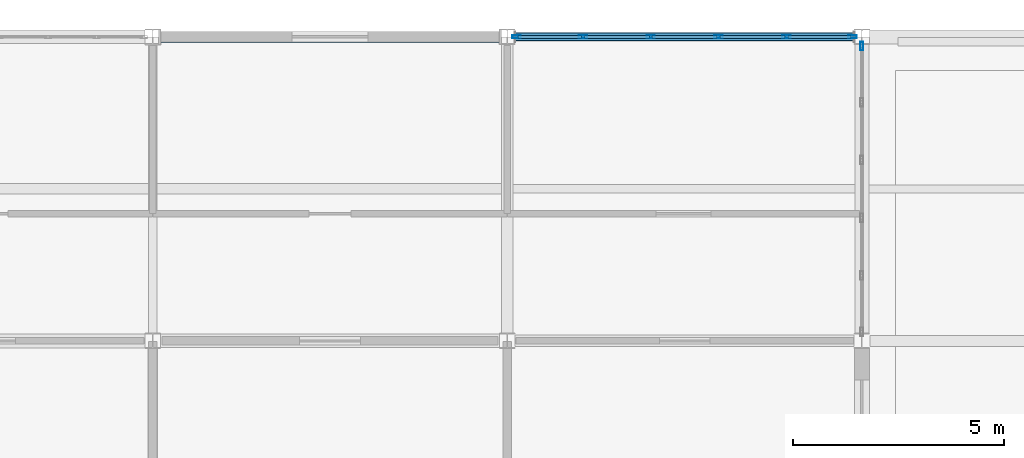
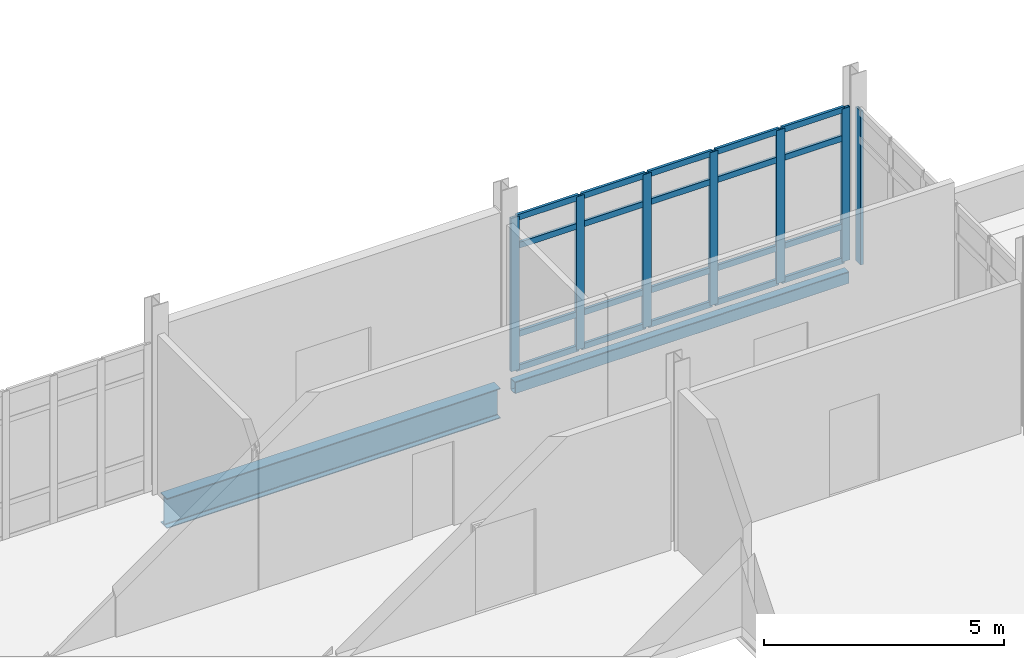
# One storey, part 95 of 186: 27 members, 2 beams, 2 elements without a shape of their own.
"""IFC4 building model written with IfcOpenShell, lengths in metres."""

from ifc_helpers import new_model, si_unit, direction, frame, origin, origin_2d, place, context, subcontext, project, spatial, hollow_rectangle, i_section, extrude, material, layer, layer_set, material_profile, profile_set, type_object, element, aggregate, save


model = new_model("IFC4")

# Units and contexts
model_context = context("Model", 3, precision=1e-05, world=origin(), true_north=direction((0.0, 1.0)))
body_context = subcontext(model_context, "Body", "Model", "MODEL_VIEW")
ifc_project = project(units=[si_unit("LENGTHUNIT", "METRE"), si_unit("AREAUNIT", "SQUARE_METRE"), si_unit("VOLUMEUNIT", "CUBIC_METRE"), si_unit("PLANEANGLEUNIT", "RADIAN"), si_unit("MASSUNIT", "GRAM", prefix="KILO")], contexts=[model_context])

# Site, building, storey
site_placement = place(None, origin())
site = spatial("IfcSite", under=ifc_project, at=site_placement, CompositionType="ELEMENT")
building_placement = place(site_placement, origin())
building = spatial("IfcBuilding", under=site, at=building_placement, Name="Calvrana Isthmian Art Gallery", CompositionType="ELEMENT")
storey_placement = place(building_placement, frame((0.0, 0.0, 5.39990234375)))
storey = spatial("IfcBuildingStorey", under=building, at=storey_placement, Name="L01", CompositionType="ELEMENT", Elevation=5.39990234375)

# Beams
ifc_material_1 = material(Name="Steel ASTM A992 Gr 50", Category="steel")
ifc_material_profile_1 = material_profile(ifc_material_1, i_section(OverallWidth=0.26708984375, OverallDepth=0.761962890625, WebThickness=0.014404296875, FlangeThickness=0.021484375, FilletRadius=0.02490234375, at=origin_2d()), Name="W30X116")
ifc_profile_set_1 = profile_set([ifc_material_profile_1], Name="Steel ASTM A992 Gr 50")
beam_type_1 = type_object("IfcBeamType", Name="BM-G-W30X116", PredefinedType="BEAM", material=ifc_profile_set_1)
beam_1_placement = place(storey_placement, frame((46.986572265625, 112.800048828125, -0.6259765625), z_axis=(1.0, 0.0, 0.0), x_axis=(0.0, 1.0, 0.0)))
element("IfcBeam", 1, at=beam_1_placement, inside=storey, type_object=beam_type_1, Name="Girder X L01 07-08/P", PredefinedType="BEAM", context=body_context, shape_type="SweptSolid", body=[
    extrude(i_section(OverallWidth=0.26708984375, OverallDepth=0.761962890625, WebThickness=0.014404296875, FlangeThickness=0.021484375, FilletRadius=0.02490234375, at=origin_2d()), origin(), (0.0, 0.0, 1.0), 8.02783203125),
])
ifc_material_2 = material(Name="Steel ASTM A500 Gr C", Category="steel")
ifc_material_profile_2 = material_profile(ifc_material_2, hollow_rectangle(XDim=0.203125, YDim=0.3046875, WallThickness=0.0126953125, OuterFilletRadius=0.02490234375, at=origin_2d()), Name="HSS305X203X12.7")
ifc_profile_set_2 = profile_set([ifc_material_profile_2], Name="Steel ASTM A500 Gr C")
beam_type_2 = type_object("IfcBeamType", Name="BM-SP-HSS305", PredefinedType="SPANDREL", material=ifc_profile_set_2)
beam_2_placement = place(storey_placement, frame((55.385498046875, 112.800048828125, -0.397216796875), z_axis=(1.0, 0.0, 0.0), x_axis=(0.0, 1.0, 0.0)))
element("IfcBeam", 2, at=beam_2_placement, inside=storey, type_object=beam_type_2, Name="Girder X L01 08-09/P", PredefinedType="SPANDREL", context=body_context, shape_type="SweptSolid", body=[
    extrude(hollow_rectangle(XDim=0.203125, YDim=0.3046875, WallThickness=0.0126953125, OuterFilletRadius=0.02490234375, at=origin_2d()), origin(), (0.0, 0.0, 1.0), 8.030517578125),
])

# Curtain wall, members
ifc_material_3 = material(Name="Anodized bronze aluminium 6063-T6", Category="aluminium")
ifc_layer_1 = layer(ifc_material_3, 0.179931640625, Name="Anodized bronze aluminium 6063-T6")
ifc_layer_set_1 = layer_set([ifc_layer_1], Name="Anodized bronze aluminium 6063-T6")
curtain_wall_type_1 = type_object("IfcCurtainWallType", Name="CW-STICK-080X39", PredefinedType="NOTDEFINED", material=ifc_layer_set_1)
curtain_wall_1_placement = place(storey_placement, origin())
curtain_wall_1 = element("IfcCurtainWall", 3, at=curtain_wall_1_placement, inside=storey, type_object=curtain_wall_type_1, Name="Curtain wall CW-117", PredefinedType="NOTDEFINED")
ifc_material_profile_3 = material_profile(ifc_material_3, hollow_rectangle(XDim=0.070068359375, YDim=0.199951171875, WallThickness=0.0048828125, at=origin_2d()), Name="CWM70X200")
ifc_profile_set_3 = profile_set([ifc_material_profile_3], Name="Anodized bronze aluminium 6063-T6")
member_type_1 = type_object("IfcMemberType", Name="CWM-CWM70X200", PredefinedType="MULLION", material=ifc_profile_set_3)
member_1_placement = place(storey_placement, frame((55.42138671875, 112.800048828125, 0.0), z_axis=(0.0, 0.0, 1.0), x_axis=(0.0, 1.0, 0.0)))
member_1 = element("IfcMember", 4, at=member_1_placement, type_object=member_type_1, Name="CW-117 mullion 1", PredefinedType="MULLION", context=body_context, shape_type="SweptSolid", body=[
    extrude(hollow_rectangle(XDim=0.070068359375, YDim=0.199951171875, WallThickness=0.0048828125, at=origin_2d()), origin(), (0.0, 0.0, 1.0), 3.898193359375),
])
member_2_placement = place(storey_placement, frame((56.9921875, 112.800048828125, 0.0), z_axis=(0.0, 0.0, 1.0), x_axis=(0.0, 1.0, 0.0)))
member_2 = element("IfcMember", 5, at=member_2_placement, type_object=member_type_1, Name="CW-117 mullion 2", PredefinedType="MULLION", context=body_context, shape_type="SweptSolid", body=[
    extrude(hollow_rectangle(XDim=0.070068359375, YDim=0.199951171875, WallThickness=0.0048828125, at=origin_2d()), origin(), (0.0, 0.0, 1.0), 3.898193359375),
])
member_3_placement = place(storey_placement, frame((58.59765625, 112.800048828125, 0.0), z_axis=(0.0, 0.0, 1.0), x_axis=(0.0, 1.0, 0.0)))
member_3 = element("IfcMember", 6, at=member_3_placement, type_object=member_type_1, Name="CW-117 mullion 3", PredefinedType="MULLION", context=body_context, shape_type="SweptSolid", body=[
    extrude(hollow_rectangle(XDim=0.070068359375, YDim=0.199951171875, WallThickness=0.0048828125, at=origin_2d()), origin(), (0.0, 0.0, 1.0), 3.898193359375),
])
member_4_placement = place(storey_placement, frame((60.203369140625, 112.800048828125, 0.0), z_axis=(0.0, 0.0, 1.0), x_axis=(0.0, 1.0, 0.0)))
member_4 = element("IfcMember", 7, at=member_4_placement, type_object=member_type_1, Name="CW-117 mullion 4", PredefinedType="MULLION", context=body_context, shape_type="SweptSolid", body=[
    extrude(hollow_rectangle(XDim=0.070068359375, YDim=0.199951171875, WallThickness=0.0048828125, at=origin_2d()), origin(), (0.0, 0.0, 1.0), 3.898193359375),
])
member_5_placement = place(storey_placement, frame((61.808837890625, 112.800048828125, 0.0), z_axis=(0.0, 0.0, 1.0), x_axis=(0.0, 1.0, 0.0)))
member_5 = element("IfcMember", 8, at=member_5_placement, type_object=member_type_1, Name="CW-117 mullion 5", PredefinedType="MULLION", context=body_context, shape_type="SweptSolid", body=[
    extrude(hollow_rectangle(XDim=0.070068359375, YDim=0.199951171875, WallThickness=0.0048828125, at=origin_2d()), origin(), (0.0, 0.0, 1.0), 3.898193359375),
])
member_6_placement = place(storey_placement, frame((63.37939453125, 112.800048828125, 0.0), z_axis=(0.0, 0.0, 1.0), x_axis=(0.0, 1.0, 0.0)))
member_6 = element("IfcMember", 9, at=member_6_placement, type_object=member_type_1, Name="CW-117 mullion 6", PredefinedType="MULLION", context=body_context, shape_type="SweptSolid", body=[
    extrude(hollow_rectangle(XDim=0.070068359375, YDim=0.199951171875, WallThickness=0.0048828125, at=origin_2d()), origin(), (0.0, 0.0, 1.0), 3.898193359375),
])

# Curtain wall, member
ifc_layer_2 = layer(ifc_material_3, 0.179931640625, Name="Anodized bronze aluminium 6063-T6")
ifc_layer_set_2 = layer_set([ifc_layer_2], Name="Anodized bronze aluminium 6063-T6")
curtain_wall_type_2 = type_object("IfcCurtainWallType", Name="CW-STICK-068X39", PredefinedType="NOTDEFINED", material=ifc_layer_set_2)
curtain_wall_2_placement = place(storey_placement, origin())
curtain_wall_2 = element("IfcCurtainWall", 10, at=curtain_wall_2_placement, inside=storey, type_object=curtain_wall_type_2, Name="Curtain wall CW-129", PredefinedType="NOTDEFINED")
member_7_placement = place(storey_placement, frame((63.60009765625, 112.58349609375, 0.0), z_axis=(0.0, 0.0, 1.0), x_axis=(1.0, 0.0, 0.0)))
member_7 = element("IfcMember", 11, at=member_7_placement, type_object=member_type_1, Name="CW-129 mullion 1", PredefinedType="MULLION", context=body_context, shape_type="SweptSolid", body=[
    extrude(hollow_rectangle(XDim=0.070068359375, YDim=0.199951171875, WallThickness=0.0048828125, at=origin_2d()), origin(), (0.0, 0.0, 1.0), 3.9130859375),
])
aggregate(curtain_wall_2, [member_7])

# Member
ifc_material_profile_4 = material_profile(ifc_material_3, hollow_rectangle(XDim=0.06494140625, YDim=0.14990234375, WallThickness=0.00390625, at=origin_2d()), Name="CWT65X150")
ifc_profile_set_4 = profile_set([ifc_material_profile_4], Name="Anodized bronze aluminium 6063-T6")
member_type_2 = type_object("IfcMemberType", Name="CWT-CWT65X150", PredefinedType="USERDEFINED", material=ifc_profile_set_4)
member_8_placement = place(storey_placement, frame((55.45654296875, 112.800048828125, 0.03271484375), z_axis=(1.0, 0.0, 0.0), x_axis=(0.0, 1.0, 0.0)))
member_8 = element("IfcMember", 12, at=member_8_placement, type_object=member_type_2, Name="CW-117 transom 1.1", ObjectType="TRANSOM", PredefinedType="USERDEFINED", context=body_context, shape_type="SweptSolid", body=[
    extrude(hollow_rectangle(XDim=0.06494140625, YDim=0.14990234375, WallThickness=0.00390625, at=origin_2d()), origin(), (0.0, 0.0, 1.0), 1.50048828125),
])

member_9_placement = place(storey_placement, frame((55.45654296875, 112.800048828125, 0.900146484375), z_axis=(1.0, 0.0, 0.0), x_axis=(0.0, 1.0, 0.0)))
member_9 = element("IfcMember", 13, at=member_9_placement, type_object=member_type_2, Name="CW-117 transom 1.2", ObjectType="TRANSOM", PredefinedType="USERDEFINED", context=body_context, shape_type="SweptSolid", body=[
    extrude(hollow_rectangle(XDim=0.06494140625, YDim=0.14990234375, WallThickness=0.00390625, at=origin_2d()), origin(), (0.0, 0.0, 1.0), 1.50048828125),
])

member_10_placement = place(storey_placement, frame((55.45654296875, 112.800048828125, 3.148193359375), z_axis=(1.0, 0.0, 0.0), x_axis=(0.0, 1.0, 0.0)))
member_10 = element("IfcMember", 14, at=member_10_placement, type_object=member_type_2, Name="CW-117 transom 1.3", ObjectType="TRANSOM", PredefinedType="USERDEFINED", context=body_context, shape_type="SweptSolid", body=[
    extrude(hollow_rectangle(XDim=0.06494140625, YDim=0.14990234375, WallThickness=0.00390625, at=origin_2d()), origin(), (0.0, 0.0, 1.0), 1.50048828125),
])

member_11_placement = place(storey_placement, frame((55.45654296875, 112.800048828125, 3.865478515625), z_axis=(1.0, 0.0, 0.0), x_axis=(0.0, 1.0, 0.0)))
member_11 = element("IfcMember", 15, at=member_11_placement, type_object=member_type_2, Name="CW-117 transom 1.4", ObjectType="TRANSOM", PredefinedType="USERDEFINED", context=body_context, shape_type="SweptSolid", body=[
    extrude(hollow_rectangle(XDim=0.06494140625, YDim=0.14990234375, WallThickness=0.00390625, at=origin_2d()), origin(), (0.0, 0.0, 1.0), 1.50048828125),
])

member_12_placement = place(storey_placement, frame((57.027099609375, 112.800048828125, 0.03271484375), z_axis=(1.0, 0.0, 0.0), x_axis=(0.0, 1.0, 0.0)))
member_12 = element("IfcMember", 16, at=member_12_placement, type_object=member_type_2, Name="CW-117 transom 2.1", ObjectType="TRANSOM", PredefinedType="USERDEFINED", context=body_context, shape_type="SweptSolid", body=[
    extrude(hollow_rectangle(XDim=0.06494140625, YDim=0.14990234375, WallThickness=0.00390625, at=origin_2d()), origin(), (0.0, 0.0, 1.0), 1.53564453125),
])

member_13_placement = place(storey_placement, frame((57.027099609375, 112.800048828125, 0.900146484375), z_axis=(1.0, 0.0, 0.0), x_axis=(0.0, 1.0, 0.0)))
member_13 = element("IfcMember", 17, at=member_13_placement, type_object=member_type_2, Name="CW-117 transom 2.2", ObjectType="TRANSOM", PredefinedType="USERDEFINED", context=body_context, shape_type="SweptSolid", body=[
    extrude(hollow_rectangle(XDim=0.06494140625, YDim=0.14990234375, WallThickness=0.00390625, at=origin_2d()), origin(), (0.0, 0.0, 1.0), 1.53564453125),
])

member_14_placement = place(storey_placement, frame((57.027099609375, 112.800048828125, 3.148193359375), z_axis=(1.0, 0.0, 0.0), x_axis=(0.0, 1.0, 0.0)))
member_14 = element("IfcMember", 18, at=member_14_placement, type_object=member_type_2, Name="CW-117 transom 2.3", ObjectType="TRANSOM", PredefinedType="USERDEFINED", context=body_context, shape_type="SweptSolid", body=[
    extrude(hollow_rectangle(XDim=0.06494140625, YDim=0.14990234375, WallThickness=0.00390625, at=origin_2d()), origin(), (0.0, 0.0, 1.0), 1.53564453125),
])

member_15_placement = place(storey_placement, frame((57.027099609375, 112.800048828125, 3.865478515625), z_axis=(1.0, 0.0, 0.0), x_axis=(0.0, 1.0, 0.0)))
member_15 = element("IfcMember", 19, at=member_15_placement, type_object=member_type_2, Name="CW-117 transom 2.4", ObjectType="TRANSOM", PredefinedType="USERDEFINED", context=body_context, shape_type="SweptSolid", body=[
    extrude(hollow_rectangle(XDim=0.06494140625, YDim=0.14990234375, WallThickness=0.00390625, at=origin_2d()), origin(), (0.0, 0.0, 1.0), 1.53564453125),
])

member_16_placement = place(storey_placement, frame((58.6328125, 112.800048828125, 0.03271484375), z_axis=(1.0, 0.0, 0.0), x_axis=(0.0, 1.0, 0.0)))
member_16 = element("IfcMember", 20, at=member_16_placement, type_object=member_type_2, Name="CW-117 transom 3.1", ObjectType="TRANSOM", PredefinedType="USERDEFINED", context=body_context, shape_type="SweptSolid", body=[
    extrude(hollow_rectangle(XDim=0.06494140625, YDim=0.14990234375, WallThickness=0.00390625, at=origin_2d()), origin(), (0.0, 0.0, 1.0), 1.535400390625),
])

member_17_placement = place(storey_placement, frame((58.6328125, 112.800048828125, 0.900146484375), z_axis=(1.0, 0.0, 0.0), x_axis=(0.0, 1.0, 0.0)))
member_17 = element("IfcMember", 21, at=member_17_placement, type_object=member_type_2, Name="CW-117 transom 3.2", ObjectType="TRANSOM", PredefinedType="USERDEFINED", context=body_context, shape_type="SweptSolid", body=[
    extrude(hollow_rectangle(XDim=0.06494140625, YDim=0.14990234375, WallThickness=0.00390625, at=origin_2d()), origin(), (0.0, 0.0, 1.0), 1.535400390625),
])

member_18_placement = place(storey_placement, frame((58.6328125, 112.800048828125, 3.148193359375), z_axis=(1.0, 0.0, 0.0), x_axis=(0.0, 1.0, 0.0)))
member_18 = element("IfcMember", 22, at=member_18_placement, type_object=member_type_2, Name="CW-117 transom 3.3", ObjectType="TRANSOM", PredefinedType="USERDEFINED", context=body_context, shape_type="SweptSolid", body=[
    extrude(hollow_rectangle(XDim=0.06494140625, YDim=0.14990234375, WallThickness=0.00390625, at=origin_2d()), origin(), (0.0, 0.0, 1.0), 1.535400390625),
])

member_19_placement = place(storey_placement, frame((58.6328125, 112.800048828125, 3.865478515625), z_axis=(1.0, 0.0, 0.0), x_axis=(0.0, 1.0, 0.0)))
member_19 = element("IfcMember", 23, at=member_19_placement, type_object=member_type_2, Name="CW-117 transom 3.4", ObjectType="TRANSOM", PredefinedType="USERDEFINED", context=body_context, shape_type="SweptSolid", body=[
    extrude(hollow_rectangle(XDim=0.06494140625, YDim=0.14990234375, WallThickness=0.00390625, at=origin_2d()), origin(), (0.0, 0.0, 1.0), 1.535400390625),
])

member_20_placement = place(storey_placement, frame((60.23828125, 112.800048828125, 0.03271484375), z_axis=(1.0, 0.0, 0.0), x_axis=(0.0, 1.0, 0.0)))
member_20 = element("IfcMember", 24, at=member_20_placement, type_object=member_type_2, Name="CW-117 transom 4.1", ObjectType="TRANSOM", PredefinedType="USERDEFINED", context=body_context, shape_type="SweptSolid", body=[
    extrude(hollow_rectangle(XDim=0.06494140625, YDim=0.14990234375, WallThickness=0.00390625, at=origin_2d()), origin(), (0.0, 0.0, 1.0), 1.53564453125),
])

member_21_placement = place(storey_placement, frame((60.23828125, 112.800048828125, 0.900146484375), z_axis=(1.0, 0.0, 0.0), x_axis=(0.0, 1.0, 0.0)))
member_21 = element("IfcMember", 25, at=member_21_placement, type_object=member_type_2, Name="CW-117 transom 4.2", ObjectType="TRANSOM", PredefinedType="USERDEFINED", context=body_context, shape_type="SweptSolid", body=[
    extrude(hollow_rectangle(XDim=0.06494140625, YDim=0.14990234375, WallThickness=0.00390625, at=origin_2d()), origin(), (0.0, 0.0, 1.0), 1.53564453125),
])

member_22_placement = place(storey_placement, frame((60.23828125, 112.800048828125, 3.148193359375), z_axis=(1.0, 0.0, 0.0), x_axis=(0.0, 1.0, 0.0)))
member_22 = element("IfcMember", 26, at=member_22_placement, type_object=member_type_2, Name="CW-117 transom 4.3", ObjectType="TRANSOM", PredefinedType="USERDEFINED", context=body_context, shape_type="SweptSolid", body=[
    extrude(hollow_rectangle(XDim=0.06494140625, YDim=0.14990234375, WallThickness=0.00390625, at=origin_2d()), origin(), (0.0, 0.0, 1.0), 1.53564453125),
])

member_23_placement = place(storey_placement, frame((60.23828125, 112.800048828125, 3.865478515625), z_axis=(1.0, 0.0, 0.0), x_axis=(0.0, 1.0, 0.0)))
member_23 = element("IfcMember", 27, at=member_23_placement, type_object=member_type_2, Name="CW-117 transom 4.4", ObjectType="TRANSOM", PredefinedType="USERDEFINED", context=body_context, shape_type="SweptSolid", body=[
    extrude(hollow_rectangle(XDim=0.06494140625, YDim=0.14990234375, WallThickness=0.00390625, at=origin_2d()), origin(), (0.0, 0.0, 1.0), 1.53564453125),
])

member_24_placement = place(storey_placement, frame((61.843994140625, 112.800048828125, 0.03271484375), z_axis=(1.0, 0.0, 0.0), x_axis=(0.0, 1.0, 0.0)))
member_24 = element("IfcMember", 28, at=member_24_placement, type_object=member_type_2, Name="CW-117 transom 5.1", ObjectType="TRANSOM", PredefinedType="USERDEFINED", context=body_context, shape_type="SweptSolid", body=[
    extrude(hollow_rectangle(XDim=0.06494140625, YDim=0.14990234375, WallThickness=0.00390625, at=origin_2d()), origin(), (0.0, 0.0, 1.0), 1.50048828125),
])

member_25_placement = place(storey_placement, frame((61.843994140625, 112.800048828125, 0.900146484375), z_axis=(1.0, 0.0, 0.0), x_axis=(0.0, 1.0, 0.0)))
member_25 = element("IfcMember", 29, at=member_25_placement, type_object=member_type_2, Name="CW-117 transom 5.2", ObjectType="TRANSOM", PredefinedType="USERDEFINED", context=body_context, shape_type="SweptSolid", body=[
    extrude(hollow_rectangle(XDim=0.06494140625, YDim=0.14990234375, WallThickness=0.00390625, at=origin_2d()), origin(), (0.0, 0.0, 1.0), 1.50048828125),
])

member_26_placement = place(storey_placement, frame((61.843994140625, 112.800048828125, 3.148193359375), z_axis=(1.0, 0.0, 0.0), x_axis=(0.0, 1.0, 0.0)))
member_26 = element("IfcMember", 30, at=member_26_placement, type_object=member_type_2, Name="CW-117 transom 5.3", ObjectType="TRANSOM", PredefinedType="USERDEFINED", context=body_context, shape_type="SweptSolid", body=[
    extrude(hollow_rectangle(XDim=0.06494140625, YDim=0.14990234375, WallThickness=0.00390625, at=origin_2d()), origin(), (0.0, 0.0, 1.0), 1.50048828125),
])

member_27_placement = place(storey_placement, frame((61.843994140625, 112.800048828125, 3.865478515625), z_axis=(1.0, 0.0, 0.0), x_axis=(0.0, 1.0, 0.0)))
member_27 = element("IfcMember", 31, at=member_27_placement, type_object=member_type_2, Name="CW-117 transom 5.4", ObjectType="TRANSOM", PredefinedType="USERDEFINED", context=body_context, shape_type="SweptSolid", body=[
    extrude(hollow_rectangle(XDim=0.06494140625, YDim=0.14990234375, WallThickness=0.00390625, at=origin_2d()), origin(), (0.0, 0.0, 1.0), 1.50048828125),
])

aggregate(curtain_wall_1, [member_1, member_2, member_3, member_4, member_5, member_6, member_8, member_9, member_10, member_11, member_12, member_13, member_14, member_15, member_16, member_17, member_18, member_19, member_20, member_21, member_22, member_23, member_24, member_25, member_26, member_27])

save(model, "model.ifc")
